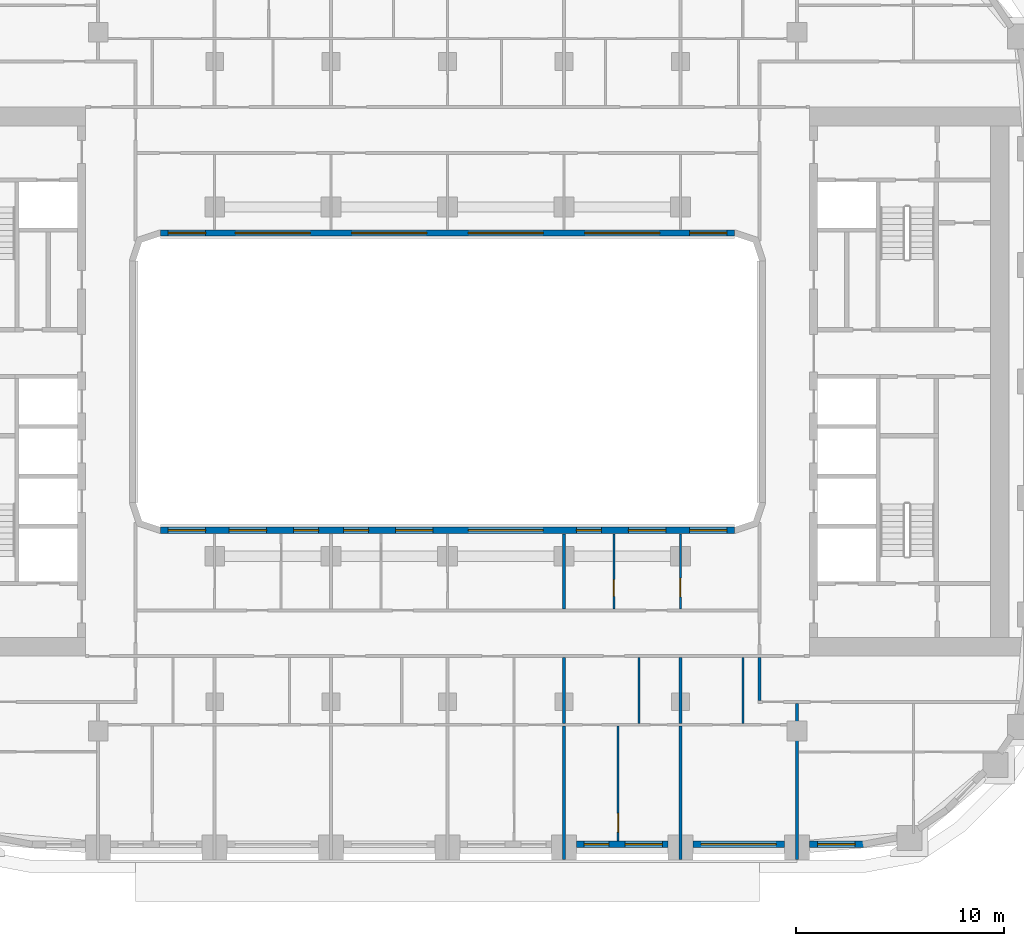
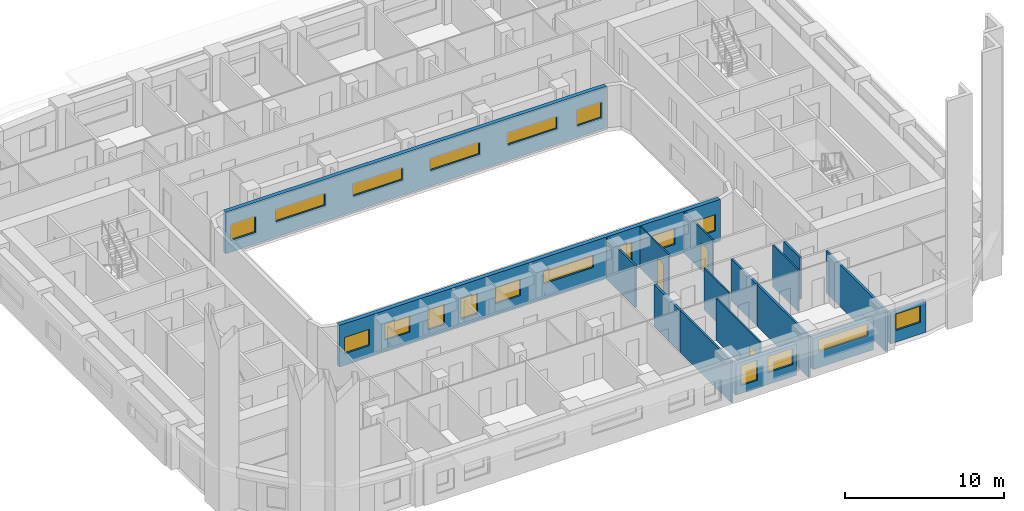
# One storey, part 6 of 23: 19 windows, 17 walls, 3 doors, 22 openings.
"""IFC4 building model written with IfcOpenShell, lengths in metres."""

from ifc_helpers import new_model, si_unit, direction, frame, frame_2d, origin, place, context, subcontext, project, spatial, rectangle, extrude, material, layer, layer_set, type_object, element, fill, save


model = new_model("IFC4")

# Units and contexts
model_context = context("Model", 3, precision=1e-05, world=origin(), true_north=direction((0.0, 1.0)))
body_context = subcontext(model_context, "Body", "Model", "MODEL_VIEW")
ifc_project = project(units=[si_unit("LENGTHUNIT", "METRE"), si_unit("AREAUNIT", "SQUARE_METRE"), si_unit("VOLUMEUNIT", "CUBIC_METRE"), si_unit("PLANEANGLEUNIT", "RADIAN"), si_unit("MASSUNIT", "GRAM", prefix="KILO")], contexts=[model_context])

# Site, building, storey
site_placement = place(None, origin())
site = spatial("IfcSite", under=ifc_project, at=site_placement, CompositionType="ELEMENT")
building_placement = place(site_placement, origin())
building = spatial("IfcBuilding", under=site, at=building_placement, Name="Kiln Ring Residences", CompositionType="ELEMENT")
storey_placement = place(building_placement, frame((0.0, 0.0, 107.800048828125)))
storey = spatial("IfcBuildingStorey", under=building, at=storey_placement, Name="L27", CompositionType="ELEMENT", Elevation=107.800048828125)

# Wall, openings, windows
ifc_material_1 = material(Name="Brick masonry, dark clay brick", Category="masonry")
ifc_layer_1 = layer(ifc_material_1, 0.300048828125)
ifc_layer_set_1 = layer_set([ifc_layer_1], Name="EW-300 BRICK WALL")
wall_type_1 = type_object("IfcWallType", Name="EW-300 BRICK WALL", PredefinedType="SOLIDWALL", material=ifc_layer_set_1)
wall_1_placement = place(storey_placement, frame((6.199951171875, -22.25, 0.0), z_axis=(0.0, 0.0, 1.0), x_axis=(1.0, 0.0, 0.0)))
wall_1 = element("IfcWall", 1, at=wall_1_placement, inside=storey, type_object=wall_type_1, Name="Facade wall L27 9", PredefinedType="SOLIDWALL", context=body_context, shape_type="SweptSolid", body=[
    extrude(rectangle(XDim=4.400146484375, YDim=0.300048828125, at=frame_2d((2.2001953125, 0.0))), origin(), (0.0, 0.0, 1.0), 2.39990234375),
])
opening_1_placement = place(wall_1_placement, frame((0.362548828125, 0.0, 0.60009765625)))
opening_1 = element("IfcOpeningElement", 2, at=opening_1_placement, cuts=wall_1, Name="Opening W1", PredefinedType="OPENING", context=body_context, shape_type="SweptSolid", body=[
    extrude(rectangle(XDim=1.199951171875, YDim=1.550048828125, at=frame_2d((0.60009765625, 0.77490234375))), frame((0.0, 0.159912109375, 0.0), z_axis=(0.0, -1.0, 0.0), x_axis=(1.0, 0.0, 0.0)), (0.0, 0.0, 1.0), 0.320068359375),
])
opening_2_placement = place(wall_1_placement, frame((2.33740234375, 0.0, 0.89990234375)))
opening_2 = element("IfcOpeningElement", 3, at=opening_2_placement, cuts=wall_1, Name="Opening W2", PredefinedType="OPENING", context=body_context, shape_type="SweptSolid", body=[
    extrude(rectangle(XDim=1.800048828125, YDim=1.25, at=frame_2d((0.89990234375, 0.625))), frame((0.0, 0.159912109375, 0.0), z_axis=(0.0, -1.0, 0.0), x_axis=(1.0, 0.0, 0.0)), (0.0, 0.0, 1.0), 0.320068359375),
])
ifc_material_2 = material(Name="Aluminium frame with double glazing", Category="aluminium")
window_type_1 = type_object("IfcWindowType", Name="WINDOW 1200 x 1550", PartitioningType="SINGLE_PANEL", PredefinedType="WINDOW", material=ifc_material_2)
window_1_placement = place(opening_1_placement, origin())
window_1 = element("IfcWindow", 4, at=window_1_placement, inside=storey, type_object=window_type_1, Name="Window L27 9", OverallHeight=1.550048828125, OverallWidth=1.199951171875, PartitioningType="SINGLE_PANEL", PredefinedType="WINDOW", context=body_context, shape_type="SweptSolid", body=[
    extrude(rectangle(XDim=1.199951171875, YDim=1.550048828125, at=frame_2d((0.60009765625, 0.77490234375))), frame((0.0, 0.030029296875, 0.0), z_axis=(0.0, -1.0, 0.0), x_axis=(1.0, 0.0, 0.0)), (0.0, 0.0, 1.0), 0.06005859375),
])
fill(opening_1, window_1)
ifc_material_3 = material(Name="Aluminium frame with double glazing", Category="aluminium")
window_type_2 = type_object("IfcWindowType", Name="WINDOW 1800 x 1250", PartitioningType="SINGLE_PANEL", PredefinedType="WINDOW", material=ifc_material_3)
window_2_placement = place(opening_2_placement, origin())
window_2 = element("IfcWindow", 5, at=window_2_placement, inside=storey, type_object=window_type_2, Name="Window L27 10", OverallHeight=1.25, OverallWidth=1.800048828125, PartitioningType="SINGLE_PANEL", PredefinedType="WINDOW", context=body_context, shape_type="SweptSolid", body=[
    extrude(rectangle(XDim=1.800048828125, YDim=1.25, at=frame_2d((0.89990234375, 0.625))), frame((0.0, 0.030029296875, 0.0), z_axis=(0.0, -1.0, 0.0), x_axis=(1.0, 0.0, 0.0)), (0.0, 0.0, 1.0), 0.06005859375),
])
fill(opening_2, window_2)

# Wall, opening, window
wall_2_placement = place(storey_placement, frame((11.800048828125, -22.25, 0.0), z_axis=(0.0, 0.0, 1.0), x_axis=(1.0, 0.0, 0.0)))
wall_2 = element("IfcWall", 6, at=wall_2_placement, inside=storey, type_object=wall_type_1, Name="Facade wall L27 10", PredefinedType="SOLIDWALL", context=body_context, shape_type="SweptSolid", body=[
    extrude(rectangle(XDim=4.39990234375, YDim=0.300048828125, at=frame_2d((2.199951171875, 0.0))), origin(), (0.0, 0.0, 1.0), 2.39990234375),
])
opening_3_placement = place(wall_2_placement, frame((0.39990234375, 0.0, 1.199951171875)))
opening_3 = element("IfcOpeningElement", 7, at=opening_3_placement, cuts=wall_2, Name="Opening W4", PredefinedType="OPENING", context=body_context, shape_type="SweptSolid", body=[
    extrude(rectangle(XDim=3.60009765625, YDim=0.949951171875, at=frame_2d((1.800048828125, 0.47509765625))), frame((0.0, 0.159912109375, 0.0), z_axis=(0.0, -1.0, 0.0), x_axis=(1.0, 0.0, 0.0)), (0.0, 0.0, 1.0), 0.320068359375),
])
ifc_material_4 = material(Name="Aluminium frame with double glazing", Category="aluminium")
window_type_3 = type_object("IfcWindowType", Name="WINDOW 3600 x 950", PartitioningType="SINGLE_PANEL", PredefinedType="WINDOW", material=ifc_material_4)
window_3_placement = place(opening_3_placement, origin())
window_3 = element("IfcWindow", 8, at=window_3_placement, inside=storey, type_object=window_type_3, Name="Window L27 11", OverallHeight=0.949951171875, OverallWidth=3.60009765625, PartitioningType="SINGLE_PANEL", PredefinedType="WINDOW", context=body_context, shape_type="SweptSolid", body=[
    extrude(rectangle(XDim=3.60009765625, YDim=0.949951171875, at=frame_2d((1.800048828125, 0.47509765625))), frame((0.0, 0.030029296875, 0.0), z_axis=(0.0, -1.0, 0.0), x_axis=(1.0, 0.0, 0.0)), (0.0, 0.0, 1.0), 0.06005859375),
])
fill(opening_3, window_3)

wall_3_placement = place(storey_placement, frame((17.39990234375, -22.25, 0.0), z_axis=(0.0, 0.0, 1.0), x_axis=(1.0, 0.0, 0.0)))
wall_3 = element("IfcWall", 9, at=wall_3_placement, inside=storey, type_object=wall_type_1, Name="Facade wall L27 11", PredefinedType="SOLIDWALL", context=body_context, shape_type="SweptSolid", body=[
    extrude(rectangle(XDim=2.60009765625, YDim=0.300048828125, at=frame_2d((1.300048828125, 0.0))), origin(), (0.0, 0.0, 1.0), 2.39990234375),
])
opening_4_placement = place(wall_3_placement, frame((0.39990234375, 0.0, 0.89990234375)))
opening_4 = element("IfcOpeningElement", 10, at=opening_4_placement, cuts=wall_3, Name="Opening W2", PredefinedType="OPENING", context=body_context, shape_type="SweptSolid", body=[
    extrude(rectangle(XDim=1.800048828125, YDim=1.25, at=frame_2d((0.89990234375, 0.625))), frame((0.0, 0.159912109375, 0.0), z_axis=(0.0, -1.0, 0.0), x_axis=(1.0, 0.0, 0.0)), (0.0, 0.0, 1.0), 0.320068359375),
])
window_4_placement = place(opening_4_placement, origin())
window_4 = element("IfcWindow", 11, at=window_4_placement, inside=storey, type_object=window_type_2, Name="Window L27 12", OverallHeight=1.25, OverallWidth=1.800048828125, PartitioningType="SINGLE_PANEL", PredefinedType="WINDOW", context=body_context, shape_type="SweptSolid", body=[
    extrude(rectangle(XDim=1.800048828125, YDim=1.25, at=frame_2d((0.89990234375, 0.625))), frame((0.0, 0.030029296875, 0.0), z_axis=(0.0, -1.0, 0.0), x_axis=(1.0, 0.0, 0.0)), (0.0, 0.0, 1.0), 0.06005859375),
])
fill(opening_4, window_4)

# Wall, openings, windows
wall_4_placement = place(storey_placement, frame((-13.800048828125, 7.14990234375, 0.0), z_axis=(0.0, 0.0, 1.0), x_axis=(1.0, 0.0, 0.0)))
wall_4 = element("IfcWall", 12, at=wall_4_placement, inside=storey, type_object=wall_type_1, Name="Facade wall L27 50", PredefinedType="SOLIDWALL", context=body_context, shape_type="SweptSolid", body=[
    extrude(rectangle(XDim=27.60009765625, YDim=0.300048828125, at=frame_2d((13.800048828125, 0.0))), origin(), (0.0, 0.0, 1.0), 3.199951171875),
])
opening_5_placement = place(wall_4_placement, frame((0.362548828125, 0.0, 0.89990234375)))
opening_5 = element("IfcOpeningElement", 13, at=opening_5_placement, cuts=wall_4, Name="Opening W2", PredefinedType="OPENING", context=body_context, shape_type="SweptSolid", body=[
    extrude(rectangle(XDim=1.800048828125, YDim=1.25, at=frame_2d((0.89990234375, 0.625))), frame((0.0, 0.159912109375, 0.0), z_axis=(0.0, -1.0, 0.0), x_axis=(1.0, 0.0, 0.0)), (0.0, 0.0, 1.0), 0.320068359375),
])
opening_6_placement = place(wall_4_placement, frame((3.60009765625, 0.0, 1.199951171875)))
opening_6 = element("IfcOpeningElement", 14, at=opening_6_placement, cuts=wall_4, Name="Opening W4", PredefinedType="OPENING", context=body_context, shape_type="SweptSolid", body=[
    extrude(rectangle(XDim=3.60009765625, YDim=0.949951171875, at=frame_2d((1.800048828125, 0.47509765625))), frame((0.0, 0.159912109375, 0.0), z_axis=(0.0, -1.0, 0.0), x_axis=(1.0, 0.0, 0.0)), (0.0, 0.0, 1.0), 0.320068359375),
])
opening_7_placement = place(wall_4_placement, frame((9.199951171875, 0.0, 1.199951171875)))
opening_7 = element("IfcOpeningElement", 15, at=opening_7_placement, cuts=wall_4, Name="Opening W4", PredefinedType="OPENING", context=body_context, shape_type="SweptSolid", body=[
    extrude(rectangle(XDim=3.60009765625, YDim=0.949951171875, at=frame_2d((1.800048828125, 0.47509765625))), frame((0.0, 0.159912109375, 0.0), z_axis=(0.0, -1.0, 0.0), x_axis=(1.0, 0.0, 0.0)), (0.0, 0.0, 1.0), 0.320068359375),
])
opening_8_placement = place(wall_4_placement, frame((14.800048828125, 0.0, 1.199951171875)))
opening_8 = element("IfcOpeningElement", 16, at=opening_8_placement, cuts=wall_4, Name="Opening W4", PredefinedType="OPENING", context=body_context, shape_type="SweptSolid", body=[
    extrude(rectangle(XDim=3.60009765625, YDim=0.949951171875, at=frame_2d((1.800048828125, 0.47509765625))), frame((0.0, 0.159912109375, 0.0), z_axis=(0.0, -1.0, 0.0), x_axis=(1.0, 0.0, 0.0)), (0.0, 0.0, 1.0), 0.320068359375),
])
opening_9_placement = place(wall_4_placement, frame((20.39990234375, 0.0, 1.199951171875)))
opening_9 = element("IfcOpeningElement", 17, at=opening_9_placement, cuts=wall_4, Name="Opening W4", PredefinedType="OPENING", context=body_context, shape_type="SweptSolid", body=[
    extrude(rectangle(XDim=3.60009765625, YDim=0.949951171875, at=frame_2d((1.800048828125, 0.47509765625))), frame((0.0, 0.159912109375, 0.0), z_axis=(0.0, -1.0, 0.0), x_axis=(1.0, 0.0, 0.0)), (0.0, 0.0, 1.0), 0.320068359375),
])
opening_10_placement = place(wall_4_placement, frame((25.4375, 0.0, 0.89990234375)))
opening_10 = element("IfcOpeningElement", 18, at=opening_10_placement, cuts=wall_4, Name="Opening W2", PredefinedType="OPENING", context=body_context, shape_type="SweptSolid", body=[
    extrude(rectangle(XDim=1.800048828125, YDim=1.25, at=frame_2d((0.89990234375, 0.625))), frame((0.0, 0.159912109375, 0.0), z_axis=(0.0, -1.0, 0.0), x_axis=(1.0, 0.0, 0.0)), (0.0, 0.0, 1.0), 0.320068359375),
])
window_5_placement = place(opening_5_placement, origin())
window_5 = element("IfcWindow", 19, at=window_5_placement, inside=storey, type_object=window_type_2, Name="Window L27 27", OverallHeight=1.25, OverallWidth=1.800048828125, PartitioningType="SINGLE_PANEL", PredefinedType="WINDOW", context=body_context, shape_type="SweptSolid", body=[
    extrude(rectangle(XDim=1.800048828125, YDim=1.25, at=frame_2d((0.89990234375, 0.625))), frame((0.0, 0.030029296875, 0.0), z_axis=(0.0, -1.0, 0.0), x_axis=(1.0, 0.0, 0.0)), (0.0, 0.0, 1.0), 0.06005859375),
])
fill(opening_5, window_5)
window_6_placement = place(opening_10_placement, origin())
window_6 = element("IfcWindow", 20, at=window_6_placement, inside=storey, type_object=window_type_2, Name="Window L27 32", OverallHeight=1.25, OverallWidth=1.800048828125, PartitioningType="SINGLE_PANEL", PredefinedType="WINDOW", context=body_context, shape_type="SweptSolid", body=[
    extrude(rectangle(XDim=1.800048828125, YDim=1.25, at=frame_2d((0.89990234375, 0.625))), frame((0.0, 0.030029296875, 0.0), z_axis=(0.0, -1.0, 0.0), x_axis=(1.0, 0.0, 0.0)), (0.0, 0.0, 1.0), 0.06005859375),
])
fill(opening_10, window_6)
window_7_placement = place(opening_6_placement, origin())
window_7 = element("IfcWindow", 21, at=window_7_placement, inside=storey, type_object=window_type_3, Name="Window L27 28", OverallHeight=0.949951171875, OverallWidth=3.60009765625, PartitioningType="SINGLE_PANEL", PredefinedType="WINDOW", context=body_context, shape_type="SweptSolid", body=[
    extrude(rectangle(XDim=3.60009765625, YDim=0.949951171875, at=frame_2d((1.800048828125, 0.47509765625))), frame((0.0, 0.030029296875, 0.0), z_axis=(0.0, -1.0, 0.0), x_axis=(1.0, 0.0, 0.0)), (0.0, 0.0, 1.0), 0.06005859375),
])
fill(opening_6, window_7)
window_8_placement = place(opening_7_placement, origin())
window_8 = element("IfcWindow", 22, at=window_8_placement, inside=storey, type_object=window_type_3, Name="Window L27 29", OverallHeight=0.949951171875, OverallWidth=3.60009765625, PartitioningType="SINGLE_PANEL", PredefinedType="WINDOW", context=body_context, shape_type="SweptSolid", body=[
    extrude(rectangle(XDim=3.60009765625, YDim=0.949951171875, at=frame_2d((1.800048828125, 0.47509765625))), frame((0.0, 0.030029296875, 0.0), z_axis=(0.0, -1.0, 0.0), x_axis=(1.0, 0.0, 0.0)), (0.0, 0.0, 1.0), 0.06005859375),
])
fill(opening_7, window_8)
window_9_placement = place(opening_8_placement, origin())
window_9 = element("IfcWindow", 23, at=window_9_placement, inside=storey, type_object=window_type_3, Name="Window L27 30", OverallHeight=0.949951171875, OverallWidth=3.60009765625, PartitioningType="SINGLE_PANEL", PredefinedType="WINDOW", context=body_context, shape_type="SweptSolid", body=[
    extrude(rectangle(XDim=3.60009765625, YDim=0.949951171875, at=frame_2d((1.800048828125, 0.47509765625))), frame((0.0, 0.030029296875, 0.0), z_axis=(0.0, -1.0, 0.0), x_axis=(1.0, 0.0, 0.0)), (0.0, 0.0, 1.0), 0.06005859375),
])
fill(opening_8, window_9)
window_10_placement = place(opening_9_placement, origin())
window_10 = element("IfcWindow", 24, at=window_10_placement, inside=storey, type_object=window_type_3, Name="Window L27 31", OverallHeight=0.949951171875, OverallWidth=3.60009765625, PartitioningType="SINGLE_PANEL", PredefinedType="WINDOW", context=body_context, shape_type="SweptSolid", body=[
    extrude(rectangle(XDim=3.60009765625, YDim=0.949951171875, at=frame_2d((1.800048828125, 0.47509765625))), frame((0.0, 0.030029296875, 0.0), z_axis=(0.0, -1.0, 0.0), x_axis=(1.0, 0.0, 0.0)), (0.0, 0.0, 1.0), 0.06005859375),
])
fill(opening_9, window_10)

wall_5_placement = place(storey_placement, frame((13.800048828125, -7.14990234375, 0.0), z_axis=(0.0, 0.0, 1.0), x_axis=(-1.0, 0.0, 0.0)))
wall_5 = element("IfcWall", 25, at=wall_5_placement, inside=storey, type_object=wall_type_1, Name="Facade wall L27 52", PredefinedType="SOLIDWALL", context=body_context, shape_type="SweptSolid", body=[
    extrude(rectangle(XDim=27.60009765625, YDim=0.300048828125, at=frame_2d((13.800048828125, 0.0))), origin(), (0.0, 0.0, 1.0), 3.199951171875),
])
opening_11_placement = place(wall_5_placement, frame((0.362548828125, 0.0, 0.89990234375)))
opening_11 = element("IfcOpeningElement", 26, at=opening_11_placement, cuts=wall_5, Name="Opening W2", PredefinedType="OPENING", context=body_context, shape_type="SweptSolid", body=[
    extrude(rectangle(XDim=1.800048828125, YDim=1.25, at=frame_2d((0.89990234375, 0.625))), frame((0.0, 0.159912109375, 0.0), z_axis=(0.0, -1.0, 0.0), x_axis=(1.0, 0.0, 0.0)), (0.0, 0.0, 1.0), 0.320068359375),
])
opening_12_placement = place(wall_5_placement, frame((3.300048828125, 0.0, 0.89990234375)))
opening_12 = element("IfcOpeningElement", 27, at=opening_12_placement, cuts=wall_5, Name="Opening W2", PredefinedType="OPENING", context=body_context, shape_type="SweptSolid", body=[
    extrude(rectangle(XDim=1.800048828125, YDim=1.25, at=frame_2d((0.89990234375, 0.625))), frame((0.0, 0.159912109375, 0.0), z_axis=(0.0, -1.0, 0.0), x_axis=(1.0, 0.0, 0.0)), (0.0, 0.0, 1.0), 0.320068359375),
])
opening_13_placement = place(wall_5_placement, frame((6.39990234375, 0.0, 0.60009765625)))
opening_13 = element("IfcOpeningElement", 28, at=opening_13_placement, cuts=wall_5, Name="Opening W1", PredefinedType="OPENING", context=body_context, shape_type="SweptSolid", body=[
    extrude(rectangle(XDim=1.199951171875, YDim=1.550048828125, at=frame_2d((0.60009765625, 0.77490234375))), frame((0.0, 0.159912109375, 0.0), z_axis=(0.0, -1.0, 0.0), x_axis=(1.0, 0.0, 0.0)), (0.0, 0.0, 1.0), 0.320068359375),
])
opening_14_placement = place(wall_5_placement, frame((9.199951171875, 0.0, 1.199951171875)))
opening_14 = element("IfcOpeningElement", 29, at=opening_14_placement, cuts=wall_5, Name="Opening W4", PredefinedType="OPENING", context=body_context, shape_type="SweptSolid", body=[
    extrude(rectangle(XDim=3.60009765625, YDim=0.949951171875, at=frame_2d((1.800048828125, 0.47509765625))), frame((0.0, 0.159912109375, 0.0), z_axis=(0.0, -1.0, 0.0), x_axis=(1.0, 0.0, 0.0)), (0.0, 0.0, 1.0), 0.320068359375),
])
opening_15_placement = place(wall_5_placement, frame((14.5, 0.0, 0.89990234375)))
opening_15 = element("IfcOpeningElement", 30, at=opening_15_placement, cuts=wall_5, Name="Opening W2", PredefinedType="OPENING", context=body_context, shape_type="SweptSolid", body=[
    extrude(rectangle(XDim=1.800048828125, YDim=1.25, at=frame_2d((0.89990234375, 0.625))), frame((0.0, 0.159912109375, 0.0), z_axis=(0.0, -1.0, 0.0), x_axis=(1.0, 0.0, 0.0)), (0.0, 0.0, 1.0), 0.320068359375),
])
opening_16_placement = place(wall_5_placement, frame((17.60009765625, 0.0, 0.60009765625)))
opening_16 = element("IfcOpeningElement", 31, at=opening_16_placement, cuts=wall_5, Name="Opening W1", PredefinedType="OPENING", context=body_context, shape_type="SweptSolid", body=[
    extrude(rectangle(XDim=1.199951171875, YDim=1.550048828125, at=frame_2d((0.60009765625, 0.77490234375))), frame((0.0, 0.159912109375, 0.0), z_axis=(0.0, -1.0, 0.0), x_axis=(1.0, 0.0, 0.0)), (0.0, 0.0, 1.0), 0.320068359375),
])
opening_17_placement = place(wall_5_placement, frame((20.0, 0.0, 0.60009765625)))
opening_17 = element("IfcOpeningElement", 32, at=opening_17_placement, cuts=wall_5, Name="Opening W1", PredefinedType="OPENING", context=body_context, shape_type="SweptSolid", body=[
    extrude(rectangle(XDim=1.199951171875, YDim=1.550048828125, at=frame_2d((0.60009765625, 0.77490234375))), frame((0.0, 0.159912109375, 0.0), z_axis=(0.0, -1.0, 0.0), x_axis=(1.0, 0.0, 0.0)), (0.0, 0.0, 1.0), 0.320068359375),
])
opening_18_placement = place(wall_5_placement, frame((22.5, 0.0, 0.89990234375)))
opening_18 = element("IfcOpeningElement", 33, at=opening_18_placement, cuts=wall_5, Name="Opening W2", PredefinedType="OPENING", context=body_context, shape_type="SweptSolid", body=[
    extrude(rectangle(XDim=1.800048828125, YDim=1.25, at=frame_2d((0.89990234375, 0.625))), frame((0.0, 0.159912109375, 0.0), z_axis=(0.0, -1.0, 0.0), x_axis=(1.0, 0.0, 0.0)), (0.0, 0.0, 1.0), 0.320068359375),
])
opening_19_placement = place(wall_5_placement, frame((25.4375, 0.0, 0.89990234375)))
opening_19 = element("IfcOpeningElement", 34, at=opening_19_placement, cuts=wall_5, Name="Opening W2", PredefinedType="OPENING", context=body_context, shape_type="SweptSolid", body=[
    extrude(rectangle(XDim=1.800048828125, YDim=1.25, at=frame_2d((0.89990234375, 0.625))), frame((0.0, 0.159912109375, 0.0), z_axis=(0.0, -1.0, 0.0), x_axis=(1.0, 0.0, 0.0)), (0.0, 0.0, 1.0), 0.320068359375),
])
window_11_placement = place(opening_13_placement, origin())
window_11 = element("IfcWindow", 35, at=window_11_placement, inside=storey, type_object=window_type_1, Name="Window L27 35", OverallHeight=1.550048828125, OverallWidth=1.199951171875, PartitioningType="SINGLE_PANEL", PredefinedType="WINDOW", context=body_context, shape_type="SweptSolid", body=[
    extrude(rectangle(XDim=1.199951171875, YDim=1.550048828125, at=frame_2d((0.60009765625, 0.77490234375))), frame((0.0, 0.030029296875, 0.0), z_axis=(0.0, -1.0, 0.0), x_axis=(1.0, 0.0, 0.0)), (0.0, 0.0, 1.0), 0.06005859375),
])
fill(opening_13, window_11)
window_12_placement = place(opening_16_placement, origin())
window_12 = element("IfcWindow", 36, at=window_12_placement, inside=storey, type_object=window_type_1, Name="Window L27 38", OverallHeight=1.550048828125, OverallWidth=1.199951171875, PartitioningType="SINGLE_PANEL", PredefinedType="WINDOW", context=body_context, shape_type="SweptSolid", body=[
    extrude(rectangle(XDim=1.199951171875, YDim=1.550048828125, at=frame_2d((0.60009765625, 0.77490234375))), frame((0.0, 0.030029296875, 0.0), z_axis=(0.0, -1.0, 0.0), x_axis=(1.0, 0.0, 0.0)), (0.0, 0.0, 1.0), 0.06005859375),
])
fill(opening_16, window_12)
window_13_placement = place(opening_17_placement, origin())
window_13 = element("IfcWindow", 37, at=window_13_placement, inside=storey, type_object=window_type_1, Name="Window L27 39", OverallHeight=1.550048828125, OverallWidth=1.199951171875, PartitioningType="SINGLE_PANEL", PredefinedType="WINDOW", context=body_context, shape_type="SweptSolid", body=[
    extrude(rectangle(XDim=1.199951171875, YDim=1.550048828125, at=frame_2d((0.60009765625, 0.77490234375))), frame((0.0, 0.030029296875, 0.0), z_axis=(0.0, -1.0, 0.0), x_axis=(1.0, 0.0, 0.0)), (0.0, 0.0, 1.0), 0.06005859375),
])
fill(opening_17, window_13)
window_14_placement = place(opening_11_placement, origin())
window_14 = element("IfcWindow", 38, at=window_14_placement, inside=storey, type_object=window_type_2, Name="Window L27 33", OverallHeight=1.25, OverallWidth=1.800048828125, PartitioningType="SINGLE_PANEL", PredefinedType="WINDOW", context=body_context, shape_type="SweptSolid", body=[
    extrude(rectangle(XDim=1.800048828125, YDim=1.25, at=frame_2d((0.89990234375, 0.625))), frame((0.0, 0.030029296875, 0.0), z_axis=(0.0, -1.0, 0.0), x_axis=(1.0, 0.0, 0.0)), (0.0, 0.0, 1.0), 0.06005859375),
])
fill(opening_11, window_14)
window_15_placement = place(opening_12_placement, origin())
window_15 = element("IfcWindow", 39, at=window_15_placement, inside=storey, type_object=window_type_2, Name="Window L27 34", OverallHeight=1.25, OverallWidth=1.800048828125, PartitioningType="SINGLE_PANEL", PredefinedType="WINDOW", context=body_context, shape_type="SweptSolid", body=[
    extrude(rectangle(XDim=1.800048828125, YDim=1.25, at=frame_2d((0.89990234375, 0.625))), frame((0.0, 0.030029296875, 0.0), z_axis=(0.0, -1.0, 0.0), x_axis=(1.0, 0.0, 0.0)), (0.0, 0.0, 1.0), 0.06005859375),
])
fill(opening_12, window_15)
window_16_placement = place(opening_15_placement, origin())
window_16 = element("IfcWindow", 40, at=window_16_placement, inside=storey, type_object=window_type_2, Name="Window L27 37", OverallHeight=1.25, OverallWidth=1.800048828125, PartitioningType="SINGLE_PANEL", PredefinedType="WINDOW", context=body_context, shape_type="SweptSolid", body=[
    extrude(rectangle(XDim=1.800048828125, YDim=1.25, at=frame_2d((0.89990234375, 0.625))), frame((0.0, 0.030029296875, 0.0), z_axis=(0.0, -1.0, 0.0), x_axis=(1.0, 0.0, 0.0)), (0.0, 0.0, 1.0), 0.06005859375),
])
fill(opening_15, window_16)
window_17_placement = place(opening_18_placement, origin())
window_17 = element("IfcWindow", 41, at=window_17_placement, inside=storey, type_object=window_type_2, Name="Window L27 40", OverallHeight=1.25, OverallWidth=1.800048828125, PartitioningType="SINGLE_PANEL", PredefinedType="WINDOW", context=body_context, shape_type="SweptSolid", body=[
    extrude(rectangle(XDim=1.800048828125, YDim=1.25, at=frame_2d((0.89990234375, 0.625))), frame((0.0, 0.030029296875, 0.0), z_axis=(0.0, -1.0, 0.0), x_axis=(1.0, 0.0, 0.0)), (0.0, 0.0, 1.0), 0.06005859375),
])
fill(opening_18, window_17)
window_18_placement = place(opening_19_placement, origin())
window_18 = element("IfcWindow", 42, at=window_18_placement, inside=storey, type_object=window_type_2, Name="Window L27 41", OverallHeight=1.25, OverallWidth=1.800048828125, PartitioningType="SINGLE_PANEL", PredefinedType="WINDOW", context=body_context, shape_type="SweptSolid", body=[
    extrude(rectangle(XDim=1.800048828125, YDim=1.25, at=frame_2d((0.89990234375, 0.625))), frame((0.0, 0.030029296875, 0.0), z_axis=(0.0, -1.0, 0.0), x_axis=(1.0, 0.0, 0.0)), (0.0, 0.0, 1.0), 0.06005859375),
])
fill(opening_19, window_18)
window_19_placement = place(opening_14_placement, origin())
window_19 = element("IfcWindow", 43, at=window_19_placement, inside=storey, type_object=window_type_3, Name="Window L27 36", OverallHeight=0.949951171875, OverallWidth=3.60009765625, PartitioningType="SINGLE_PANEL", PredefinedType="WINDOW", context=body_context, shape_type="SweptSolid", body=[
    extrude(rectangle(XDim=3.60009765625, YDim=0.949951171875, at=frame_2d((1.800048828125, 0.47509765625))), frame((0.0, 0.030029296875, 0.0), z_axis=(0.0, -1.0, 0.0), x_axis=(1.0, 0.0, 0.0)), (0.0, 0.0, 1.0), 0.06005859375),
])
fill(opening_14, window_19)

# Wall, opening, door
ifc_material_5 = material(Name="Gypsum board on steel studs", Category="steel")
ifc_layer_2 = layer(ifc_material_5, 0.10009765625)
ifc_layer_set_2 = layer_set([ifc_layer_2], Name="PARTITION-100")
wall_type_2 = type_object("IfcWallType", Name="PARTITION-100", PredefinedType="PARTITIONING", material=ifc_layer_set_2)
wall_6_placement = place(storey_placement, frame((8.0, -10.925048828125, 0.0), z_axis=(0.0, 0.0, 1.0), x_axis=(0.0, 1.0, 0.0)))
wall_6 = element("IfcWall", 44, at=wall_6_placement, inside=storey, type_object=wall_type_2, Name="Partition 062", PredefinedType="PARTITIONING", context=body_context, shape_type="SweptSolid", body=[
    extrude(rectangle(XDim=3.60498046875, YDim=0.10009765625, at=frame_2d((1.802490234375, 0.0))), origin(), (0.0, 0.0, 1.0), 3.199951171875),
])
opening_20_placement = place(wall_6_placement, frame((0.60498046875, 0.0, 0.0)))
opening_20 = element("IfcOpeningElement", 45, at=opening_20_placement, cuts=wall_6, Name="Opening L27-D050", PredefinedType="OPENING", context=body_context, shape_type="SweptSolid", body=[
    extrude(rectangle(XDim=0.800048828125, YDim=2.10009765625, at=frame_2d((0.39990234375, 1.050048828125))), frame((0.0, 0.06005859375, 0.0), z_axis=(0.0, -1.0, 0.0), x_axis=(1.0, 0.0, 0.0)), (0.0, 0.0, 1.0), 0.1201171875),
])
ifc_material_6 = material(Name="Timber door leaf", Category="wood")
door_type_1 = type_object("IfcDoorType", Name="FLAT-DOOR-800-PL", OperationType="SINGLE_SWING_LEFT", PredefinedType="DOOR", material=ifc_material_6)
door_1_placement = place(opening_20_placement, origin())
door_1 = element("IfcDoor", 46, at=door_1_placement, inside=storey, type_object=door_type_1, Name="Door L27-D050", OperationType="SINGLE_SWING_RIGHT", OverallHeight=2.10009765625, OverallWidth=0.800048828125, PredefinedType="DOOR", context=body_context, shape_type="SweptSolid", body=[
    extrude(rectangle(XDim=0.800048828125, YDim=2.10009765625, at=frame_2d((0.39990234375, 1.050048828125))), frame((0.0, 0.02490234375, 0.0), z_axis=(0.0, -1.0, 0.0), x_axis=(1.0, 0.0, 0.0)), (0.0, 0.0, 1.0), 0.050048828125),
])
fill(opening_20, door_1)

wall_7_placement = place(storey_placement, frame((8.199951171875, -22.080078125, 0.0), z_axis=(0.0, 0.0, 1.0), x_axis=(0.0, 1.0, 0.0)))
wall_7 = element("IfcWall", 47, at=wall_7_placement, inside=storey, type_object=wall_type_2, Name="Partition 063", PredefinedType="PARTITIONING", context=body_context, shape_type="SweptSolid", body=[
    extrude(rectangle(XDim=5.530029296875, YDim=0.10009765625, at=frame_2d((2.76513671875, 0.0))), origin(), (0.0, 0.0, 1.0), 3.199951171875),
])
opening_21_placement = place(wall_7_placement, frame((0.419921875, 0.0, 0.0)))
opening_21 = element("IfcOpeningElement", 48, at=opening_21_placement, cuts=wall_7, Name="Opening L27-D069", PredefinedType="OPENING", context=body_context, shape_type="SweptSolid", body=[
    extrude(rectangle(XDim=0.89990234375, YDim=2.10009765625, at=frame_2d((0.449951171875, 1.050048828125))), frame((0.0, 0.06005859375, 0.0), z_axis=(0.0, -1.0, 0.0), x_axis=(1.0, 0.0, 0.0)), (0.0, 0.0, 1.0), 0.1201171875),
])
ifc_material_7 = material(Name="Timber door leaf", Category="wood")
door_type_2 = type_object("IfcDoorType", Name="FLAT-DOOR-900-PL", OperationType="SINGLE_SWING_LEFT", PredefinedType="DOOR", material=ifc_material_7)
door_2_placement = place(opening_21_placement, origin())
door_2 = element("IfcDoor", 49, at=door_2_placement, inside=storey, type_object=door_type_2, Name="Door L27-D069", OperationType="SINGLE_SWING_LEFT", OverallHeight=2.10009765625, OverallWidth=0.89990234375, PredefinedType="DOOR", context=body_context, shape_type="SweptSolid", body=[
    extrude(rectangle(XDim=0.89990234375, YDim=2.10009765625, at=frame_2d((0.449951171875, 1.050048828125))), frame((0.0, 0.02490234375, 0.0), z_axis=(0.0, -1.0, 0.0), x_axis=(1.0, 0.0, 0.0)), (0.0, 0.0, 1.0), 0.050048828125),
])
fill(opening_21, door_2)

# Wall
wall_8_placement = place(storey_placement, frame((9.199951171875, -16.449951171875, 0.0), z_axis=(0.0, 0.0, 1.0), x_axis=(0.0, 1.0, 0.0)))
element("IfcWall", 50, at=wall_8_placement, inside=storey, type_object=wall_type_2, Name="Partition 064", PredefinedType="PARTITIONING", context=body_context, shape_type="SweptSolid", body=[
    extrude(rectangle(XDim=3.175048828125, YDim=0.10009765625, at=frame_2d((1.58740234375, 0.0))), origin(), (0.0, 0.0, 1.0), 3.199951171875),
])

# Wall, opening, door
wall_9_placement = place(storey_placement, frame((11.199951171875, -10.925048828125, 0.0), z_axis=(0.0, 0.0, 1.0), x_axis=(0.0, 1.0, 0.0)))
wall_9 = element("IfcWall", 51, at=wall_9_placement, inside=storey, type_object=wall_type_2, Name="Partition 065", PredefinedType="PARTITIONING", context=body_context, shape_type="SweptSolid", body=[
    extrude(rectangle(XDim=3.60498046875, YDim=0.10009765625, at=frame_2d((1.802490234375, 0.0))), origin(), (0.0, 0.0, 1.0), 3.199951171875),
])
opening_22_placement = place(wall_9_placement, frame((0.575927734375, 0.0, 0.0)))
opening_22 = element("IfcOpeningElement", 52, at=opening_22_placement, cuts=wall_9, Name="Opening L27-D051", PredefinedType="OPENING", context=body_context, shape_type="SweptSolid", body=[
    extrude(rectangle(XDim=0.89990234375, YDim=2.10009765625, at=frame_2d((0.449951171875, 1.050048828125))), frame((0.0, 0.06005859375, 0.0), z_axis=(0.0, -1.0, 0.0), x_axis=(1.0, 0.0, 0.0)), (0.0, 0.0, 1.0), 0.1201171875),
])
door_3_placement = place(opening_22_placement, origin())
door_3 = element("IfcDoor", 53, at=door_3_placement, inside=storey, type_object=door_type_2, Name="Door L27-D051", OperationType="SINGLE_SWING_LEFT", OverallHeight=2.10009765625, OverallWidth=0.89990234375, PredefinedType="DOOR", context=body_context, shape_type="SweptSolid", body=[
    extrude(rectangle(XDim=0.89990234375, YDim=2.10009765625, at=frame_2d((0.449951171875, 1.050048828125))), frame((0.0, 0.02490234375, 0.0), z_axis=(0.0, -1.0, 0.0), x_axis=(1.0, 0.0, 0.0)), (0.0, 0.0, 1.0), 0.050048828125),
])
fill(opening_22, door_3)

# Walls
wall_10_placement = place(storey_placement, frame((14.199951171875, -16.449951171875, 0.0), z_axis=(0.0, 0.0, 1.0), x_axis=(0.0, 1.0, 0.0)))
element("IfcWall", 54, at=wall_10_placement, inside=storey, type_object=wall_type_2, Name="Partition 072", PredefinedType="PARTITIONING", context=body_context, shape_type="SweptSolid", body=[
    extrude(rectangle(XDim=3.175048828125, YDim=0.10009765625, at=frame_2d((1.58740234375, 0.0))), origin(), (0.0, 0.0, 1.0), 3.199951171875),
])
ifc_material_8 = material(Name="Brick masonry partition", Category="masonry")
ifc_layer_3 = layer(ifc_material_8, 0.14990234375)
ifc_layer_set_3 = layer_set([ifc_layer_3], Name="PARTITION-150-ei60")
wall_type_3 = type_object("IfcWallType", Name="PARTITION-150-ei60", PredefinedType="PARTITIONING", material=ifc_layer_set_3)
wall_11_placement = place(storey_placement, frame((5.60009765625, -22.97998046875, 0.0), z_axis=(0.0, 0.0, 1.0), x_axis=(0.0, 1.0, 0.0)))
element("IfcWall", 55, at=wall_11_placement, inside=storey, type_object=wall_type_3, Name="Partition 056", PredefinedType="PARTITIONING", context=body_context, shape_type="SweptSolid", body=[
    extrude(rectangle(XDim=6.429931640625, YDim=0.14990234375, at=frame_2d((3.21484375, 0.0))), origin(), (0.0, 0.0, 1.0), 3.199951171875),
])
wall_12_placement = place(storey_placement, frame((5.60009765625, -16.449951171875, 0.0), z_axis=(0.0, 0.0, 1.0), x_axis=(0.0, 1.0, 0.0)))
element("IfcWall", 56, at=wall_12_placement, inside=storey, type_object=wall_type_3, Name="Partition 057", PredefinedType="PARTITIONING", context=body_context, shape_type="SweptSolid", body=[
    extrude(rectangle(XDim=3.175048828125, YDim=0.14990234375, at=frame_2d((1.58740234375, 0.0))), origin(), (0.0, 0.0, 1.0), 3.199951171875),
])
wall_13_placement = place(storey_placement, frame((5.60009765625, -10.925048828125, 0.0), z_axis=(0.0, 0.0, 1.0), x_axis=(0.0, 1.0, 0.0)))
element("IfcWall", 57, at=wall_13_placement, inside=storey, type_object=wall_type_3, Name="Partition 058", PredefinedType="PARTITIONING", context=body_context, shape_type="SweptSolid", body=[
    extrude(rectangle(XDim=3.60498046875, YDim=0.14990234375, at=frame_2d((1.802490234375, 0.0))), origin(), (0.0, 0.0, 1.0), 3.199951171875),
])
wall_14_placement = place(storey_placement, frame((11.199951171875, -22.97998046875, 0.0), z_axis=(0.0, 0.0, 1.0), x_axis=(0.0, 1.0, 0.0)))
element("IfcWall", 58, at=wall_14_placement, inside=storey, type_object=wall_type_3, Name="Partition 067", PredefinedType="PARTITIONING", context=body_context, shape_type="SweptSolid", body=[
    extrude(rectangle(XDim=6.429931640625, YDim=0.14990234375, at=frame_2d((3.21484375, 0.0))), origin(), (0.0, 0.0, 1.0), 3.199951171875),
])
wall_15_placement = place(storey_placement, frame((11.199951171875, -16.449951171875, 0.0), z_axis=(0.0, 0.0, 1.0), x_axis=(0.0, 1.0, 0.0)))
element("IfcWall", 59, at=wall_15_placement, inside=storey, type_object=wall_type_3, Name="Partition 068", PredefinedType="PARTITIONING", context=body_context, shape_type="SweptSolid", body=[
    extrude(rectangle(XDim=3.175048828125, YDim=0.14990234375, at=frame_2d((1.58740234375, 0.0))), origin(), (0.0, 0.0, 1.0), 3.199951171875),
])
wall_16_placement = place(storey_placement, frame((15.0, -15.324951171875, 0.0), z_axis=(0.0, 0.0, 1.0), x_axis=(0.0, 1.0, 0.0)))
element("IfcWall", 60, at=wall_16_placement, inside=storey, type_object=wall_type_3, Name="Partition 074", PredefinedType="PARTITIONING", context=body_context, shape_type="SweptSolid", body=[
    extrude(rectangle(XDim=2.050048828125, YDim=0.14990234375, at=frame_2d((1.02490234375, 0.0))), origin(), (0.0, 0.0, 1.0), 3.199951171875),
])
wall_17_placement = place(storey_placement, frame((16.800048828125, -22.97998046875, 0.0), z_axis=(0.0, 0.0, 1.0), x_axis=(0.0, 1.0, 0.0)))
element("IfcWall", 61, at=wall_17_placement, inside=storey, type_object=wall_type_3, Name="Partition 078", PredefinedType="PARTITIONING", context=body_context, shape_type="SweptSolid", body=[
    extrude(rectangle(XDim=7.5048828125, YDim=0.14990234375, at=frame_2d((3.75244140625, 0.0))), origin(), (0.0, 0.0, 1.0), 3.199951171875),
])

save(model, "model.ifc")
